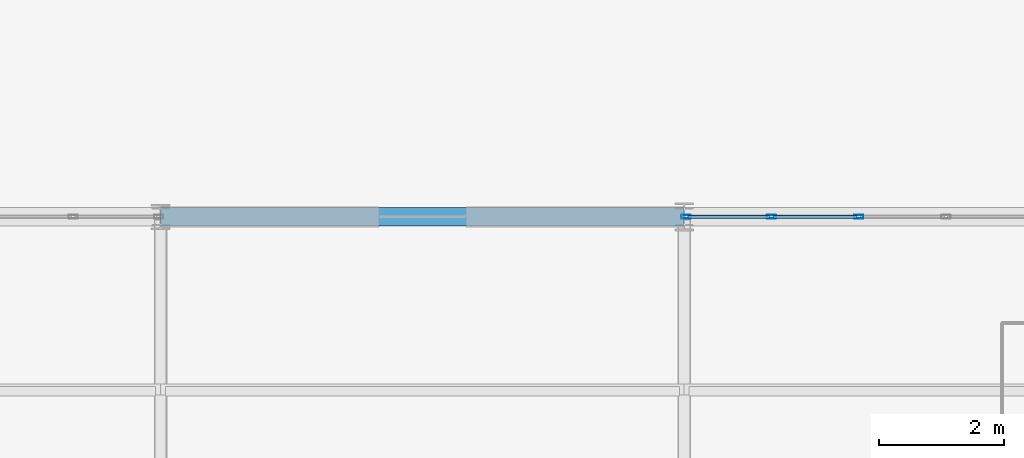
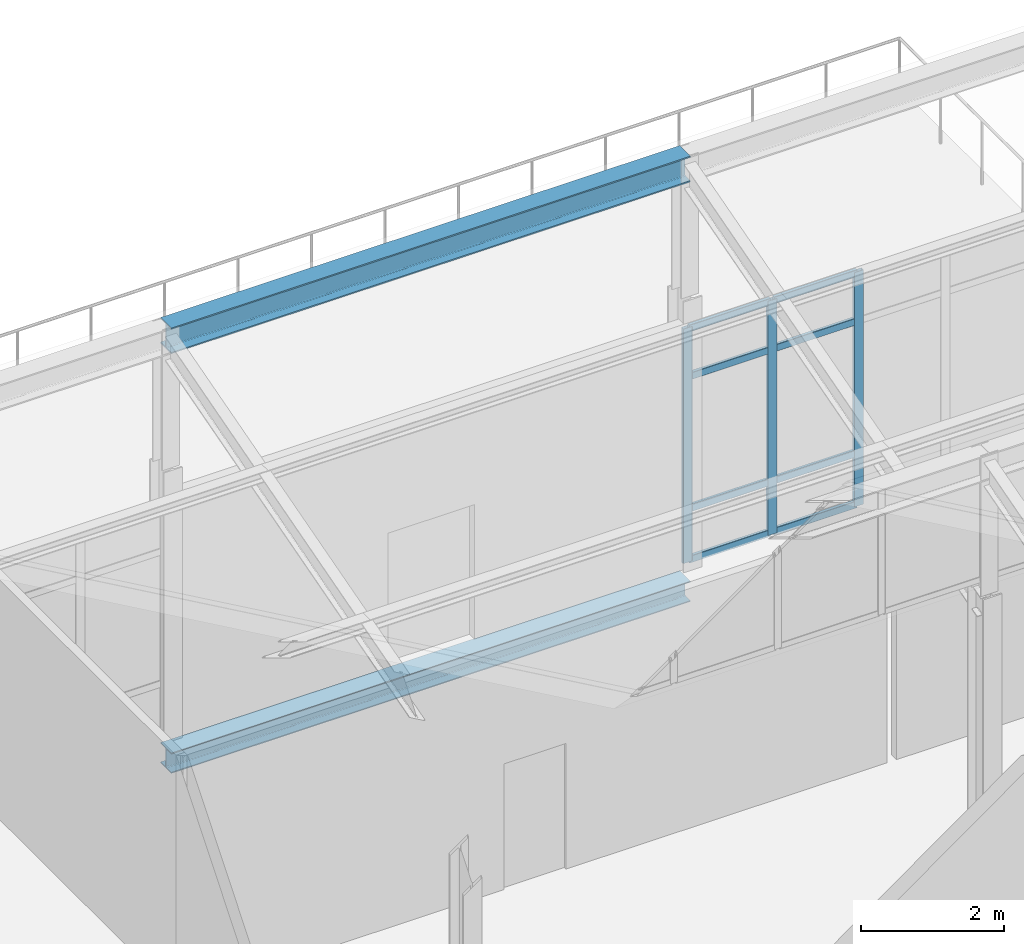
# One storey, part 44 of 53: 11 members, 2 beams, 1 element without a shape of its own.
"""IFC4 building model written with IfcOpenShell, lengths in metres."""

from ifc_helpers import new_model, si_unit, direction, frame, origin, origin_2d, place, context, subcontext, project, spatial, hollow_rectangle, i_section, extrude, material, layer, layer_set, material_profile, profile_set, type_object, element, aggregate, save


model = new_model("IFC4")

# Units and contexts
model_context = context("Model", 3, precision=1e-05, world=origin(), true_north=direction((0.0, 1.0)))
body_context = subcontext(model_context, "Body", "Model", "MODEL_VIEW")
ifc_project = project(units=[si_unit("LENGTHUNIT", "METRE"), si_unit("AREAUNIT", "SQUARE_METRE"), si_unit("VOLUMEUNIT", "CUBIC_METRE"), si_unit("PLANEANGLEUNIT", "RADIAN"), si_unit("MASSUNIT", "GRAM", prefix="KILO")], contexts=[model_context])

# Site, building, storey
site_placement = place(None, origin())
site = spatial("IfcSite", under=ifc_project, at=site_placement, CompositionType="ELEMENT")
building_placement = place(site_placement, origin())
building = spatial("IfcBuilding", under=site, at=building_placement, Name="Qalvenar Corner Mobility Hub", CompositionType="ELEMENT")
storey_placement = place(building_placement, frame((0.0, 0.0, 26.39990234375)))
storey = spatial("IfcBuildingStorey", under=building, at=storey_placement, Name="L06", CompositionType="ELEMENT", Elevation=26.39990234375)

# Beams
ifc_material_1 = material(Name="Steel S355", Category="steel")
ifc_material_profile_1 = material_profile(ifc_material_1, i_section(OverallWidth=0.300048828125, OverallDepth=0.43994140625, WebThickness=0.011474609375, FlangeThickness=0.02099609375, FilletRadius=0.027099609375, at=origin_2d()), Name="HEA450")
ifc_profile_set_1 = profile_set([ifc_material_profile_1], Name="Steel S355")
beam_type_1 = type_object("IfcBeamType", Name="BM-HEA450", PredefinedType="BEAM", material=ifc_profile_set_1)
beam_1_placement = place(storey_placement, frame((25.199951171875, 33.60009765625, 6.81005859375), z_axis=(1.0, 0.0, 0.0), x_axis=(0.0, 1.0, 0.0)))
element("IfcBeam", 1, at=beam_1_placement, inside=storey, type_object=beam_type_1, Name="Sawtooth Ridge Girder V3RDG-4-4", PredefinedType="BEAM", context=body_context, shape_type="SweptSolid", body=[
    extrude(i_section(OverallWidth=0.300048828125, OverallDepth=0.43994140625, WebThickness=0.011474609375, FlangeThickness=0.02099609375, FilletRadius=0.027099609375, at=origin_2d()), origin(), (0.0, 0.0, 1.0), 8.400146484375),
])
ifc_material_profile_2 = material_profile(ifc_material_1, i_section(OverallWidth=0.300048828125, OverallDepth=0.35009765625, WebThickness=0.010009765625, FlangeThickness=0.017578125, FilletRadius=0.027099609375, at=origin_2d()), Name="HEA360")
ifc_profile_set_2 = profile_set([ifc_material_profile_2], Name="Steel S355")
beam_type_2 = type_object("IfcBeamType", Name="BM-SPN360", PredefinedType="SPANDREL", material=ifc_profile_set_2)
beam_2_placement = place(storey_placement, frame((25.199951171875, 33.60009765625, -0.4169921875), z_axis=(1.0, 0.0, 0.0), x_axis=(0.0, 1.0, 0.0)))
element("IfcBeam", 2, at=beam_2_placement, inside=storey, type_object=beam_type_2, Name="Primary Steel Girder GX-3075", PredefinedType="SPANDREL", context=body_context, shape_type="SweptSolid", body=[
    extrude(i_section(OverallWidth=0.300048828125, OverallDepth=0.35009765625, WebThickness=0.010009765625, FlangeThickness=0.017578125, FilletRadius=0.027099609375, at=origin_2d()), origin(), (0.0, 0.0, 1.0), 8.400146484375),
])

# Curtain wall, members
ifc_material_2 = material(Name="Anodised Aluminium and Low-E Glazing", Category="aluminium")
ifc_layer = layer(ifc_material_2, 0.14990234375)
ifc_layer_set = layer_set([ifc_layer], Name="Anodised Aluminium and Low-E Glazing")
curtain_wall_type = type_object("IfcCurtainWallType", Name="CW-CIV-84X40", PredefinedType="NOTDEFINED", material=ifc_layer_set)
curtain_wall_placement = place(storey_placement, origin())
curtain_wall = element("IfcCurtainWall", 3, at=curtain_wall_placement, inside=storey, type_object=curtain_wall_type, Name="Glazed Curtain Wall CW-V3-L06-N4", PredefinedType="NOTDEFINED")
ifc_material_3 = material(Name="Anodised Aluminium 6063-T6", Category="aluminium")
ifc_material_profile_3 = material_profile(ifc_material_3, hollow_rectangle(XDim=0.06005859375, YDim=0.14990234375, WallThickness=0.00390625, InnerFilletRadius=0.00390625, OuterFilletRadius=0.008056640625, at=origin_2d()), Name="RHS150x60x4")
ifc_profile_set_3 = profile_set([ifc_material_profile_3], Name="Anodised Aluminium 6063-T6")
member_type_1 = type_object("IfcMemberType", Name="CW-MUL150", PredefinedType="MULLION", material=ifc_profile_set_3)
member_1_placement = place(storey_placement, frame((36.39990234375, 33.60009765625, 0.0), z_axis=(0.0, 0.0, 1.0), x_axis=(0.0, -1.0, 0.0)))
member_1 = element("IfcMember", 4, at=member_1_placement, type_object=member_type_1, Name="CW-05 mullion 5", PredefinedType="MULLION", context=body_context, shape_type="SweptSolid", body=[
    extrude(hollow_rectangle(XDim=0.06005859375, YDim=0.14990234375, WallThickness=0.00390625, InnerFilletRadius=0.00390625, OuterFilletRadius=0.008056640625, at=origin_2d()), origin(), (0.0, 0.0, 1.0), 4.010009765625),
])
member_2_placement = place(storey_placement, frame((35.0, 33.60009765625, 0.0), z_axis=(0.0, 0.0, 1.0), x_axis=(0.0, -1.0, 0.0)))
member_2 = element("IfcMember", 5, at=member_2_placement, type_object=member_type_1, Name="CW-05 mullion 6", PredefinedType="MULLION", context=body_context, shape_type="SweptSolid", body=[
    extrude(hollow_rectangle(XDim=0.06005859375, YDim=0.14990234375, WallThickness=0.00390625, InnerFilletRadius=0.00390625, OuterFilletRadius=0.008056640625, at=origin_2d()), origin(), (0.0, 0.0, 1.0), 4.010009765625),
])
member_3_placement = place(storey_placement, frame((33.6298828125, 33.60009765625, 0.0), z_axis=(0.0, 0.0, 1.0), x_axis=(0.0, -1.0, 0.0)))
member_3 = element("IfcMember", 6, at=member_3_placement, type_object=member_type_1, Name="CW-05 mullion 7", PredefinedType="MULLION", context=body_context, shape_type="SweptSolid", body=[
    extrude(hollow_rectangle(XDim=0.06005859375, YDim=0.14990234375, WallThickness=0.00390625, InnerFilletRadius=0.00390625, OuterFilletRadius=0.008056640625, at=origin_2d()), origin(), (0.0, 0.0, 1.0), 4.010009765625),
])
ifc_material_profile_4 = material_profile(ifc_material_3, hollow_rectangle(XDim=0.054931640625, YDim=0.1201171875, WallThickness=0.00341796875, InnerFilletRadius=0.00341796875, OuterFilletRadius=0.007080078125, at=origin_2d()), Name="RHS120x55x3.5")
ifc_profile_set_4 = profile_set([ifc_material_profile_4], Name="Anodised Aluminium 6063-T6")
member_type_2 = type_object("IfcMemberType", Name="CW-TRN120", PredefinedType="USERDEFINED", material=ifc_profile_set_4)
member_4_placement = place(storey_placement, frame((36.3701171875, 33.60009765625, 0.027587890625), z_axis=(-1.0, 0.0, 0.0), x_axis=(0.0, -1.0, 0.0)))
member_4 = element("IfcMember", 7, at=member_4_placement, type_object=member_type_2, Name="CW-05 transom 5.1", ObjectType="TRANSOM", PredefinedType="USERDEFINED", context=body_context, shape_type="SweptSolid", body=[
    extrude(hollow_rectangle(XDim=0.054931640625, YDim=0.1201171875, WallThickness=0.00341796875, InnerFilletRadius=0.00341796875, OuterFilletRadius=0.007080078125, at=origin_2d()), origin(), (0.0, 0.0, 1.0), 1.340087890625),
])
member_5_placement = place(storey_placement, frame((36.3701171875, 33.60009765625, 0.900146484375), z_axis=(-1.0, 0.0, 0.0), x_axis=(0.0, -1.0, 0.0)))
member_5 = element("IfcMember", 8, at=member_5_placement, type_object=member_type_2, Name="CW-05 transom 5.2", ObjectType="TRANSOM", PredefinedType="USERDEFINED", context=body_context, shape_type="SweptSolid", body=[
    extrude(hollow_rectangle(XDim=0.054931640625, YDim=0.1201171875, WallThickness=0.00341796875, InnerFilletRadius=0.00341796875, OuterFilletRadius=0.007080078125, at=origin_2d()), origin(), (0.0, 0.0, 1.0), 1.340087890625),
])
member_6_placement = place(storey_placement, frame((36.3701171875, 33.60009765625, 3.16015625), z_axis=(-1.0, 0.0, 0.0), x_axis=(0.0, -1.0, 0.0)))
member_6 = element("IfcMember", 9, at=member_6_placement, type_object=member_type_2, Name="CW-05 transom 5.3", ObjectType="TRANSOM", PredefinedType="USERDEFINED", context=body_context, shape_type="SweptSolid", body=[
    extrude(hollow_rectangle(XDim=0.054931640625, YDim=0.1201171875, WallThickness=0.00341796875, InnerFilletRadius=0.00341796875, OuterFilletRadius=0.007080078125, at=origin_2d()), origin(), (0.0, 0.0, 1.0), 1.340087890625),
])
member_7_placement = place(storey_placement, frame((36.3701171875, 33.60009765625, 3.982666015625), z_axis=(-1.0, 0.0, 0.0), x_axis=(0.0, -1.0, 0.0)))
member_7 = element("IfcMember", 10, at=member_7_placement, type_object=member_type_2, Name="CW-05 transom 5.4", ObjectType="TRANSOM", PredefinedType="USERDEFINED", context=body_context, shape_type="SweptSolid", body=[
    extrude(hollow_rectangle(XDim=0.054931640625, YDim=0.1201171875, WallThickness=0.00341796875, InnerFilletRadius=0.00341796875, OuterFilletRadius=0.007080078125, at=origin_2d()), origin(), (0.0, 0.0, 1.0), 1.340087890625),
])
member_8_placement = place(storey_placement, frame((34.969970703125, 33.60009765625, 0.027587890625), z_axis=(-1.0, 0.0, 0.0), x_axis=(0.0, -1.0, 0.0)))
member_8 = element("IfcMember", 11, at=member_8_placement, type_object=member_type_2, Name="CW-05 transom 6.1", ObjectType="TRANSOM", PredefinedType="USERDEFINED", context=body_context, shape_type="SweptSolid", body=[
    extrude(hollow_rectangle(XDim=0.054931640625, YDim=0.1201171875, WallThickness=0.00341796875, InnerFilletRadius=0.00341796875, OuterFilletRadius=0.007080078125, at=origin_2d()), origin(), (0.0, 0.0, 1.0), 1.31005859375),
])
member_9_placement = place(storey_placement, frame((34.969970703125, 33.60009765625, 0.900146484375), z_axis=(-1.0, 0.0, 0.0), x_axis=(0.0, -1.0, 0.0)))
member_9 = element("IfcMember", 12, at=member_9_placement, type_object=member_type_2, Name="CW-05 transom 6.2", ObjectType="TRANSOM", PredefinedType="USERDEFINED", context=body_context, shape_type="SweptSolid", body=[
    extrude(hollow_rectangle(XDim=0.054931640625, YDim=0.1201171875, WallThickness=0.00341796875, InnerFilletRadius=0.00341796875, OuterFilletRadius=0.007080078125, at=origin_2d()), origin(), (0.0, 0.0, 1.0), 1.31005859375),
])
member_10_placement = place(storey_placement, frame((34.969970703125, 33.60009765625, 3.16015625), z_axis=(-1.0, 0.0, 0.0), x_axis=(0.0, -1.0, 0.0)))
member_10 = element("IfcMember", 13, at=member_10_placement, type_object=member_type_2, Name="CW-05 transom 6.3", ObjectType="TRANSOM", PredefinedType="USERDEFINED", context=body_context, shape_type="SweptSolid", body=[
    extrude(hollow_rectangle(XDim=0.054931640625, YDim=0.1201171875, WallThickness=0.00341796875, InnerFilletRadius=0.00341796875, OuterFilletRadius=0.007080078125, at=origin_2d()), origin(), (0.0, 0.0, 1.0), 1.31005859375),
])
member_11_placement = place(storey_placement, frame((34.969970703125, 33.60009765625, 3.982666015625), z_axis=(-1.0, 0.0, 0.0), x_axis=(0.0, -1.0, 0.0)))
member_11 = element("IfcMember", 14, at=member_11_placement, type_object=member_type_2, Name="CW-05 transom 6.4", ObjectType="TRANSOM", PredefinedType="USERDEFINED", context=body_context, shape_type="SweptSolid", body=[
    extrude(hollow_rectangle(XDim=0.054931640625, YDim=0.1201171875, WallThickness=0.00341796875, InnerFilletRadius=0.00341796875, OuterFilletRadius=0.007080078125, at=origin_2d()), origin(), (0.0, 0.0, 1.0), 1.31005859375),
])
aggregate(curtain_wall, [member_1, member_2, member_3, member_4, member_5, member_6, member_7, member_8, member_9, member_10, member_11])

save(model, "model.ifc")
